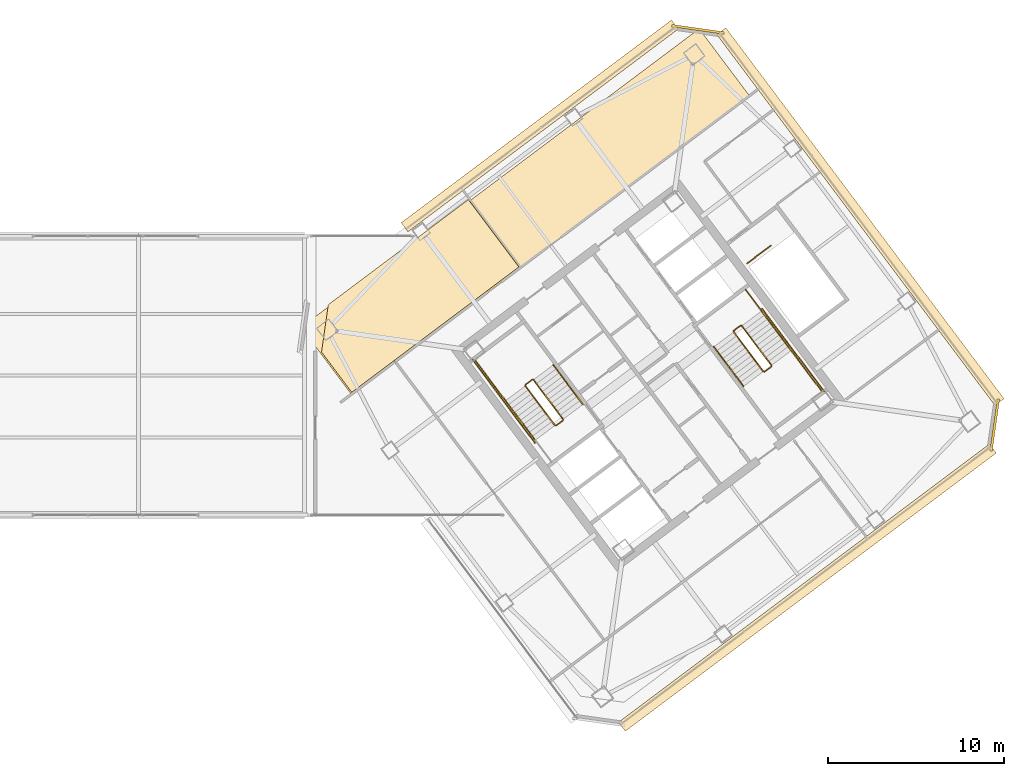
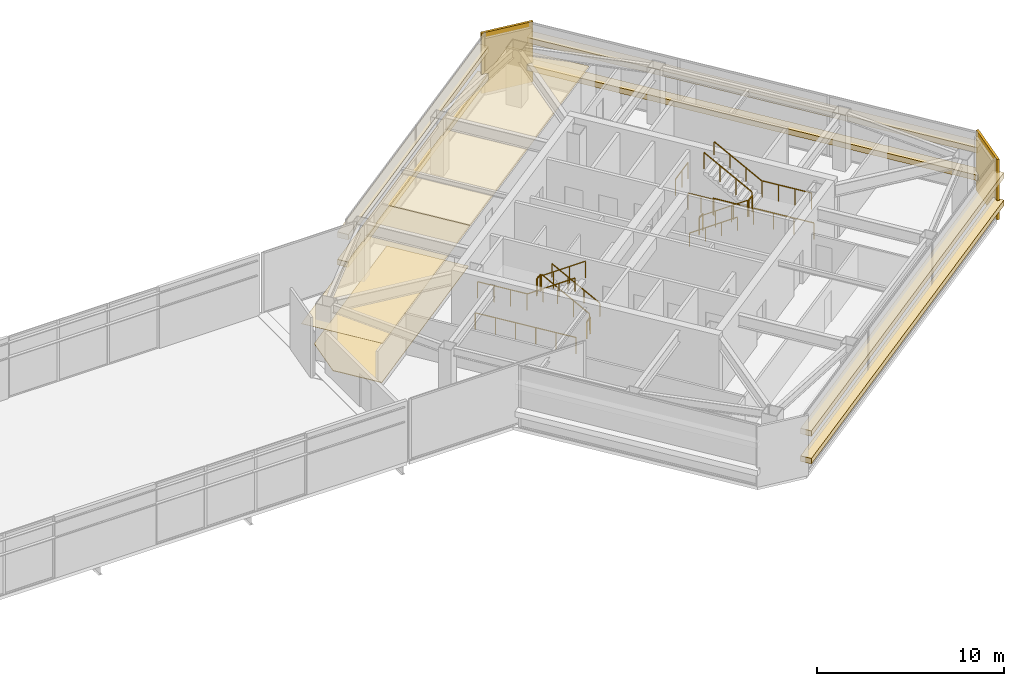
# One storey, part 50 of 51: 18 railings, 11 coverings.
"""IFC4 building model written with IfcOpenShell, lengths in metres."""

from ifc_helpers import new_model, si_unit, direction, frame, origin, origin_2d, place, context, subcontext, project, spatial, polyline, rectangle, outline, extrude, material, layer, layer_set, type_object, element, save


model = new_model("IFC4")

# Units and contexts
model_context = context("Model", 3, precision=1e-05, world=origin(), true_north=direction((0.0, 1.0)))
body_context = subcontext(model_context, "Body", "Model", "MODEL_VIEW")
ifc_project = project(units=[si_unit("LENGTHUNIT", "METRE"), si_unit("AREAUNIT", "SQUARE_METRE"), si_unit("VOLUMEUNIT", "CUBIC_METRE"), si_unit("PLANEANGLEUNIT", "RADIAN"), si_unit("MASSUNIT", "GRAM", prefix="KILO")], contexts=[model_context])

# Site, building, storey
site_placement = place(None, origin())
site = spatial("IfcSite", under=ifc_project, at=site_placement, CompositionType="ELEMENT")
building_placement = place(site_placement, origin())
building = spatial("IfcBuilding", under=site, at=building_placement, Name="Tashvorn Skyway Center", CompositionType="ELEMENT")
storey_placement = place(building_placement, frame((0.0, 0.0, 259.39990234375)))
storey = spatial("IfcBuildingStorey", under=building, at=storey_placement, Name="L70", CompositionType="ELEMENT", Elevation=259.39990234375)

# Coverings
ifc_material_1 = material(Name="Mineral-fibre acoustic ceiling tile on suspended grid")
ifc_layer_1 = layer(ifc_material_1, 0.02001953125)
ifc_layer_set_1 = layer_set([ifc_layer_1], Name="Mineral-fibre acoustic ceiling tile on suspended grid")
covering_type_1 = type_object("IfcCoveringType", Name="COV-CEIL-20", PredefinedType="CEILING", material=ifc_layer_set_1)
covering_1_placement = place(storey_placement, frame((0.0, 0.0, 2.63916015625)))
element("IfcCovering", 1, at=covering_1_placement, inside=storey, type_object=covering_type_1, Name="Tower 2 L70 Conference Room Acoustic Ceiling", PredefinedType="CEILING", context=body_context, shape_type="SweptSolid", body=[
    extrude(outline(polyline([(97.169921875, 30.93994140625), (106.77001953125, 38.139892578125), (103.919921875, 41.93994140625), (94.320068359375, 34.739990234375), (97.169921875, 30.93994140625)])), origin(), (0.0, 0.0, 1.0), 0.02001953125),
])
covering_2_placement = place(storey_placement, frame((0.0, 0.0, 2.63916015625)))
element("IfcCovering", 2, at=covering_2_placement, inside=storey, type_object=covering_type_1, Name="Tower 2 L70 Conference Room Acoustic Ceiling", PredefinedType="CEILING", context=body_context, shape_type="SweptSolid", body=[
    extrude(outline(polyline([(106.77001953125, 38.139892578125), (119.72998046875, 47.860107421875), (116.8798828125, 51.659912109375), (103.919921875, 41.93994140625), (106.77001953125, 38.139892578125)])), origin(), (0.0, 0.0, 1.0), 0.02001953125),
])
ifc_material_2 = material(Name="Polished Mojave desert-aggregate terrazzo and cover plate")
ifc_layer_2 = layer(ifc_material_2, 0.0400390625)
ifc_layer_set_2 = layer_set([ifc_layer_2], Name="Polished Mojave desert-aggregate terrazzo and cover plate")
covering_type_2 = type_object("IfcCoveringType", Name="COV-FLR-40", PredefinedType="FLOORING", material=ifc_layer_set_2)
covering_3_placement = place(storey_placement, origin())
element("IfcCovering", 3, at=covering_3_placement, inside=storey, type_object=covering_type_2, Name="Tower 2 L70 Conference Room Finish Flooring", PredefinedType="FLOORING", context=body_context, shape_type="SweptSolid", body=[
    extrude(outline(polyline([(106.657958984375, 38.156005859375), (97.18603515625, 31.052001953125), (95.47607421875, 33.33203125), (95.860107421875, 36.02001953125), (103.7958984375, 41.971923828125), (106.657958984375, 38.156005859375)])), origin(), (0.0, 0.0, 1.0), 0.0400390625),
])
ifc_material_3 = material(Name="Perforated ceramic-coated bronze aluminium solar screen", Category="aluminium")
ifc_layer_3 = layer(ifc_material_3, 0.85009765625)
ifc_layer_set_3 = layer_set([ifc_layer_3], Name="Perforated ceramic-coated bronze aluminium solar screen")
covering_type_3 = type_object("IfcCoveringType", Name="COV-SOLAR-BAND", PredefinedType="CLADDING", material=ifc_layer_set_3)
for number, where, z_axis, x_axis, name in (
    (4, (123.011962890625, 19.98388671875, 0.919921875), (0.0, 0.0, 1.0), (-0.799999996291, -0.600000004945, 0.0), "L70 Perforated Ceramic-Metal Solar Screen Louvre Band South 1"),
    (5, (123.011962890625, 19.98388671875, 2.72021484375), (0.0, 0.0, 1.0), (-0.799999996291, -0.600000004945, 0.0), "L70 Perforated Ceramic-Metal Solar Screen Louvre Band South 2"),
):
    element("IfcCovering", number, at=place(storey_placement, frame(where, z_axis=z_axis, x_axis=x_axis)), inside=storey, type_object=covering_type_3, Name=name, PredefinedType="CLADDING", context=body_context, shape_type="SweptSolid", body=[
        extrude(rectangle(XDim=26.280029296875, YDim=0.639892578125, at=origin_2d()), origin(), (0.0, 0.0, 1.0), 0.360107421875),
    ])
for number, where, z_axis, x_axis, name in (
    (6, (107.840087890625, 46.155029296875, 0.919921875), (0.0, 0.0, 1.0), (0.799999996291, 0.600000004945, 0.0), "L70 Perforated Ceramic-Metal Solar Screen Louvre Band North 1"),
    (7, (107.840087890625, 46.155029296875, 2.72021484375), (0.0, 0.0, 1.0), (0.799999996291, 0.600000004945, 0.0), "L70 Perforated Ceramic-Metal Solar Screen Louvre Band North 2"),
):
    element("IfcCovering", number, at=place(storey_placement, frame(where, z_axis=z_axis, x_axis=x_axis)), inside=storey, type_object=covering_type_3, Name=name, PredefinedType="CLADDING", context=body_context, shape_type="SweptSolid", body=[
        extrude(rectangle(XDim=19.14990234375, YDim=0.639892578125, at=origin_2d()), origin(), (0.0, 0.0, 1.0), 0.360107421875),
    ])
for number, where, z_axis, x_axis, name in (
    (8, (126.01611328125, 41.011962890625, 0.919921875), (0.0, 0.0, 1.0), (0.600000004945, -0.799999996291, 0.0), "L70 Perforated Ceramic-Metal Solar Screen Louvre Band East 1"),
    (9, (126.01611328125, 41.011962890625, 2.72021484375), (0.0, 0.0, 1.0), (0.600000004945, -0.799999996291, 0.0), "L70 Perforated Ceramic-Metal Solar Screen Louvre Band East 2"),
):
    element("IfcCovering", number, at=place(storey_placement, frame(where, z_axis=z_axis, x_axis=x_axis)), inside=storey, type_object=covering_type_3, Name=name, PredefinedType="CLADDING", context=body_context, shape_type="SweptSolid", body=[
        extrude(rectangle(XDim=26.280029296875, YDim=0.639892578125, at=origin_2d()), origin(), (0.0, 0.0, 1.0), 0.360107421875),
    ])
ifc_material_4 = material(Name="Precast concrete C40/50", Category="concrete")
ifc_layer_4 = layer(ifc_material_4, 0.35009765625)
ifc_layer_set_4 = layer_set([ifc_layer_4], Name="Precast concrete C40/50")
covering_type_4 = type_object("IfcCoveringType", Name="COV-STONE-TRIM", PredefinedType="CLADDING", material=ifc_layer_set_4)
for number, where, z_axis, x_axis, name in (
    (10, (116.803955078125, 51.6279296875, 0.02001953125), (0.0, 0.0, 1.0), (0.989949494535, -0.141421350118, 0.0), "Tower 2 L70 NE Mojave Limestone Corner Quoin"),
    (11, (133.6279296875, 29.196044921875, 0.02001953125), (0.0, 0.0, 1.0), (0.141421350118, 0.989949494535, 0.0), "Tower 2 L70 SE Mojave Limestone Corner Quoin"),
):
    element("IfcCovering", number, at=place(storey_placement, frame(where, z_axis=z_axis, x_axis=x_axis)), inside=storey, type_object=covering_type_4, Name=name, PredefinedType="CLADDING", context=body_context, shape_type="SweptSolid", body=[
        extrude(rectangle(XDim=2.98828125, YDim=0.139892578125, at=origin_2d()), origin(), (0.0, 0.0, 1.0), 3.9599609375),
    ])

# Railings
ifc_material_5 = material(Name="Brushed stainless steel 316", Category="steel")
railing_type_1 = type_object("IfcRailingType", Name="RAIL-HAND-920", PredefinedType="HANDRAIL", material=ifc_material_5)
railing_1_placement = place(storey_placement, frame((110.2880859375, 30.365966796875, 0.181884765625)))
element("IfcRailing", 12, at=railing_1_placement, inside=storey, type_object=railing_type_1, Name="L70 ST-T2-1 stair handrail 1", PredefinedType="HANDRAIL", context=body_context, shape_type="SweptSolid", body=[
    extrude(rectangle(XDim=0.048095703125, YDim=0.048095703125, at=origin_2d()), frame((0.0, 0.0, 0.8759765625), z_axis=(-0.503261200553, 0.670941806899, 0.544578052967), x_axis=(-0.799968610491, -0.600041850398, 0.0)), (0.0, 0.0, 1.0), 3.338623046875),
    extrude(rectangle(XDim=0.0419921875, YDim=0.0419921875, at=origin_2d()), origin(), (0.0, 0.0, 1.0), 0.851806640625),
    extrude(rectangle(XDim=0.0419921875, YDim=0.0419921875, at=origin_2d()), frame((-0.56005859375, 0.74658203125, 0.60595703125)), (0.0, 0.0, 1.0), 0.851806640625),
    extrude(rectangle(XDim=0.0419921875, YDim=0.0419921875, at=origin_2d()), frame((-1.1201171875, 1.493408203125, 1.212158203125)), (0.0, 0.0, 1.0), 0.851806640625),
    extrude(rectangle(XDim=0.0419921875, YDim=0.0419921875, at=origin_2d()), frame((-1.68017578125, 2.239990234375, 1.818115234375)), (0.0, 0.0, 1.0), 0.851806640625),
])
railing_2_placement = place(storey_placement, frame((105.904052734375, 30.577880859375, 2.181884765625)))
element("IfcRailing", 13, at=railing_2_placement, inside=storey, type_object=railing_type_1, Name="L70 ST-T2-1 stair handrail 2", PredefinedType="HANDRAIL", context=body_context, shape_type="SweptSolid", body=[
    extrude(rectangle(XDim=0.048095703125, YDim=0.048095703125, at=origin_2d()), frame((0.0, 0.0, 0.8759765625), z_axis=(0.50320659142, -0.670966498514, 0.544598094216), x_axis=(0.80001046323, 0.599986048773, 0.0)), (0.0, 0.0, 1.0), 3.33837890625),
    extrude(rectangle(XDim=0.0419921875, YDim=0.0419921875, at=origin_2d()), origin(), (0.0, 0.0, 1.0), 0.851806640625),
    extrude(rectangle(XDim=0.0419921875, YDim=0.0419921875, at=origin_2d()), frame((0.56005859375, -0.74658203125, 0.60595703125)), (0.0, 0.0, 1.0), 0.851806640625),
    extrude(rectangle(XDim=0.0419921875, YDim=0.0419921875, at=origin_2d()), frame((1.119873046875, -1.493408203125, 1.212158203125)), (0.0, 0.0, 1.0), 0.851806640625),
    extrude(rectangle(XDim=0.0419921875, YDim=0.0419921875, at=origin_2d()), frame((1.679931640625, -2.239990234375, 1.818115234375)), (0.0, 0.0, 1.0), 0.851806640625),
])
railing_3_placement = place(storey_placement, frame((117.7119140625, 33.634033203125, 0.181884765625)))
element("IfcRailing", 14, at=railing_3_placement, inside=storey, type_object=railing_type_1, Name="L70 ST-T2-2 stair handrail 1", PredefinedType="HANDRAIL", context=body_context, shape_type="SweptSolid", body=[
    extrude(rectangle(XDim=0.048095703125, YDim=0.048095703125, at=origin_2d()), frame((0.0, 0.0, 0.8759765625), z_axis=(0.503261200553, -0.670941806899, 0.544578052967), x_axis=(0.799968610491, 0.600041850398, 0.0)), (0.0, 0.0, 1.0), 3.338623046875),
    extrude(rectangle(XDim=0.0419921875, YDim=0.0419921875, at=origin_2d()), origin(), (0.0, 0.0, 1.0), 0.851806640625),
    extrude(rectangle(XDim=0.0419921875, YDim=0.0419921875, at=origin_2d()), frame((0.56005859375, -0.74658203125, 0.60595703125)), (0.0, 0.0, 1.0), 0.851806640625),
    extrude(rectangle(XDim=0.0419921875, YDim=0.0419921875, at=origin_2d()), frame((1.1201171875, -1.493408203125, 1.212158203125)), (0.0, 0.0, 1.0), 0.851806640625),
    extrude(rectangle(XDim=0.0419921875, YDim=0.0419921875, at=origin_2d()), frame((1.68017578125, -2.239990234375, 1.818115234375)), (0.0, 0.0, 1.0), 0.851806640625),
])
railing_4_placement = place(storey_placement, frame((122.095947265625, 33.422119140625, 2.181884765625)))
element("IfcRailing", 15, at=railing_4_placement, inside=storey, type_object=railing_type_1, Name="L70 ST-T2-2 stair handrail 2", PredefinedType="HANDRAIL", context=body_context, shape_type="SweptSolid", body=[
    extrude(rectangle(XDim=0.048095703125, YDim=0.048095703125, at=origin_2d()), frame((0.0, 0.0, 0.8759765625), z_axis=(-0.50320659142, 0.670966498514, 0.544598094216), x_axis=(-0.80001046323, -0.599986048773, 0.0)), (0.0, 0.0, 1.0), 3.33837890625),
    extrude(rectangle(XDim=0.0419921875, YDim=0.0419921875, at=origin_2d()), origin(), (0.0, 0.0, 1.0), 0.851806640625),
    extrude(rectangle(XDim=0.0419921875, YDim=0.0419921875, at=origin_2d()), frame((-0.56005859375, 0.74658203125, 0.60595703125)), (0.0, 0.0, 1.0), 0.851806640625),
    extrude(rectangle(XDim=0.0419921875, YDim=0.0419921875, at=origin_2d()), frame((-1.119873046875, 1.493408203125, 1.212158203125)), (0.0, 0.0, 1.0), 0.851806640625),
    extrude(rectangle(XDim=0.0419921875, YDim=0.0419921875, at=origin_2d()), frame((-1.679931640625, 2.239990234375, 1.818115234375)), (0.0, 0.0, 1.0), 0.851806640625),
])
ifc_material_6 = material(Name="Painted galvanized steel S355", Category="steel")
railing_type_2 = type_object("IfcRailingType", Name="RAIL-STGUARD-1100", PredefinedType="GUARDRAIL", material=ifc_material_6)
railing_5_placement = place(storey_placement, frame((109.16796875, 29.52587890625, 0.181884765625)))
element("IfcRailing", 16, at=railing_5_placement, inside=storey, type_object=railing_type_2, Name="L70 ST-T2-1 stair guard 1", PredefinedType="GUARDRAIL", context=body_context, shape_type="SweptSolid", body=[
    extrude(rectangle(XDim=0.048095703125, YDim=0.048095703125, at=origin_2d()), frame((0.0, 0.0, 1.076171875), z_axis=(-0.503181900707, 0.671006702643, 0.544571372557), x_axis=(-0.800041848543, -0.599944197888, 0.0)), (0.0, 0.0, 1.0), 3.338623046875),
    extrude(rectangle(XDim=0.0419921875, YDim=0.0419921875, at=origin_2d()), origin(), (0.0, 0.0, 1.0), 1.052001953125),
    extrude(rectangle(XDim=0.0419921875, YDim=0.0419921875, at=origin_2d()), frame((-0.56005859375, 0.746826171875, 0.60595703125)), (0.0, 0.0, 1.0), 1.052001953125),
    extrude(rectangle(XDim=0.0419921875, YDim=0.0419921875, at=origin_2d()), frame((-1.119873046875, 1.493408203125, 1.212158203125)), (0.0, 0.0, 1.0), 1.052001953125),
    extrude(rectangle(XDim=0.0419921875, YDim=0.0419921875, at=origin_2d()), frame((-1.679931640625, 2.240234375, 1.818115234375)), (0.0, 0.0, 1.0), 1.052001953125),
])
railing_6_placement = place(storey_placement, frame((107.41796875, 31.77587890625, 2.0)))
element("IfcRailing", 17, at=railing_6_placement, inside=storey, type_object=railing_type_2, Name="L70 ST-T2-1 stair guard 2", PredefinedType="GUARDRAIL", context=body_context, shape_type="SweptSolid", body=[
    extrude(rectangle(XDim=0.048095703125, YDim=0.048095703125, at=origin_2d()), frame((0.0, 0.0, 1.076171875), z_axis=(-0.800183094277, -0.599755796664, 0.0), x_axis=(0.599755796664, -0.800183094277, 0.0)), (0.0, 0.0, 1.0), 0.47998046875),
    extrude(rectangle(XDim=0.0419921875, YDim=0.0419921875, at=origin_2d()), origin(), (0.0, 0.0, 1.0), 1.052001953125),
    extrude(rectangle(XDim=0.0419921875, YDim=0.0419921875, at=origin_2d()), frame((-0.384033203125, -0.287841796875, 0.0)), (0.0, 0.0, 1.0), 1.052001953125),
])
railing_7_placement = place(storey_placement, frame((105.904052734375, 30.577880859375, 2.0)))
element("IfcRailing", 18, at=railing_7_placement, inside=storey, type_object=railing_type_2, Name="L70 ST-T2-1 stair guard 3", PredefinedType="GUARDRAIL", context=body_context, shape_type="SweptSolid", body=[
    extrude(rectangle(XDim=0.048095703125, YDim=0.048095703125, at=origin_2d()), frame((0.0, 0.0, 1.076171875), z_axis=(-0.599972874575, 0.800020343351, 0.0), x_axis=(-0.800020343351, -0.599972874575, 0.0)), (0.0, 0.0, 1.0), 2.880126953125),
    extrude(rectangle(XDim=0.0419921875, YDim=0.0419921875, at=origin_2d()), origin(), (0.0, 0.0, 1.0), 1.052001953125),
    extrude(rectangle(XDim=0.0419921875, YDim=0.0419921875, at=origin_2d()), frame((-0.575927734375, 0.76806640625, 0.0)), (0.0, 0.0, 1.0), 1.052001953125),
    extrude(rectangle(XDim=0.0419921875, YDim=0.0419921875, at=origin_2d()), frame((-1.152099609375, 1.5361328125, 0.0)), (0.0, 0.0, 1.0), 1.052001953125),
    extrude(rectangle(XDim=0.0419921875, YDim=0.0419921875, at=origin_2d()), frame((-1.72802734375, 2.30419921875, 0.0)), (0.0, 0.0, 1.0), 1.052001953125),
])
railing_8_placement = place(storey_placement, frame((107.02392578125, 31.41796875, 2.181884765625)))
element("IfcRailing", 19, at=railing_8_placement, inside=storey, type_object=railing_type_2, Name="L70 ST-T2-1 stair guard 4", PredefinedType="GUARDRAIL", context=body_context, shape_type="SweptSolid", body=[
    extrude(rectangle(XDim=0.048095703125, YDim=0.048095703125, at=origin_2d()), frame((0.0, 0.0, 1.076171875), z_axis=(0.503261200553, -0.670941806899, 0.544578052967), x_axis=(0.799968610491, 0.600041850398, 0.0)), (0.0, 0.0, 1.0), 3.338623046875),
    extrude(rectangle(XDim=0.0419921875, YDim=0.0419921875, at=origin_2d()), origin(), (0.0, 0.0, 1.0), 1.052001953125),
    extrude(rectangle(XDim=0.0419921875, YDim=0.0419921875, at=origin_2d()), frame((0.56005859375, -0.74658203125, 0.60595703125)), (0.0, 0.0, 1.0), 1.052001953125),
    extrude(rectangle(XDim=0.0419921875, YDim=0.0419921875, at=origin_2d()), frame((1.1201171875, -1.493408203125, 1.212158203125)), (0.0, 0.0, 1.0), 1.052001953125),
    extrude(rectangle(XDim=0.0419921875, YDim=0.0419921875, at=origin_2d()), frame((1.68017578125, -2.239990234375, 1.818115234375)), (0.0, 0.0, 1.0), 1.052001953125),
])
railing_9_placement = place(storey_placement, frame((109.157958984375, 29.4560546875, 0.0)))
element("IfcRailing", 20, at=railing_9_placement, inside=storey, type_object=railing_type_2, Name="L70 ST-T2-1 stair guard 5", PredefinedType="GUARDRAIL", context=body_context, shape_type="SweptSolid", body=[
    extrude(rectangle(XDim=0.048095703125, YDim=0.048095703125, at=origin_2d()), frame((0.0, 0.0, 1.076171875), z_axis=(-0.799938970639, -0.600081363861, 0.0), x_axis=(0.600081363861, -0.799938970639, 0.0)), (0.0, 0.0, 1.0), 0.47998046875),
    extrude(rectangle(XDim=0.0419921875, YDim=0.0419921875, at=origin_2d()), origin(), (0.0, 0.0, 1.0), 1.052001953125),
    extrude(rectangle(XDim=0.0419921875, YDim=0.0419921875, at=origin_2d()), frame((-0.384033203125, -0.2880859375, 0.0)), (0.0, 0.0, 1.0), 1.052001953125),
])
railing_10_placement = place(storey_placement, frame((107.56396484375, 28.197998046875, 0.0)))
element("IfcRailing", 21, at=railing_10_placement, inside=storey, type_object=railing_type_2, Name="L70 ST-T2-1 stair guard 7", PredefinedType="GUARDRAIL", context=body_context, shape_type="SweptSolid", body=[
    extrude(rectangle(XDim=0.048095703125, YDim=0.048095703125, at=origin_2d()), frame((0.0, 0.0, 1.076171875), z_axis=(-0.6, 0.8, 0.0), x_axis=(-0.8, -0.6, 0.0)), (0.0, 0.0, 1.0), 5.880126953125),
    extrude(rectangle(XDim=0.0419921875, YDim=0.0419921875, at=origin_2d()), origin(), (0.0, 0.0, 1.0), 1.052001953125),
    extrude(rectangle(XDim=0.0419921875, YDim=0.0419921875, at=origin_2d()), frame((-0.70556640625, 0.94091796875, 0.0)), (0.0, 0.0, 1.0), 1.052001953125),
    extrude(rectangle(XDim=0.0419921875, YDim=0.0419921875, at=origin_2d()), frame((-1.4111328125, 1.881591796875, 0.0)), (0.0, 0.0, 1.0), 1.052001953125),
    extrude(rectangle(XDim=0.0419921875, YDim=0.0419921875, at=origin_2d()), frame((-2.116943359375, 2.822509765625, 0.0)), (0.0, 0.0, 1.0), 1.052001953125),
    extrude(rectangle(XDim=0.0419921875, YDim=0.0419921875, at=origin_2d()), frame((-2.822509765625, 3.76318359375, 0.0)), (0.0, 0.0, 1.0), 1.052001953125),
    extrude(rectangle(XDim=0.0419921875, YDim=0.0419921875, at=origin_2d()), frame((-3.528076171875, 4.7041015625, 0.0)), (0.0, 0.0, 1.0), 1.052001953125),
])
railing_11_placement = place(storey_placement, frame((118.83203125, 34.47412109375, 0.181884765625)))
element("IfcRailing", 22, at=railing_11_placement, inside=storey, type_object=railing_type_2, Name="L70 ST-T2-2 stair guard 1", PredefinedType="GUARDRAIL", context=body_context, shape_type="SweptSolid", body=[
    extrude(rectangle(XDim=0.048095703125, YDim=0.048095703125, at=origin_2d()), frame((0.0, 0.0, 1.076171875), z_axis=(0.503181900707, -0.671006702643, 0.544571372557), x_axis=(0.800041848543, 0.599944197888, 0.0)), (0.0, 0.0, 1.0), 3.338623046875),
    extrude(rectangle(XDim=0.0419921875, YDim=0.0419921875, at=origin_2d()), origin(), (0.0, 0.0, 1.0), 1.052001953125),
    extrude(rectangle(XDim=0.0419921875, YDim=0.0419921875, at=origin_2d()), frame((0.56005859375, -0.746826171875, 0.60595703125)), (0.0, 0.0, 1.0), 1.052001953125),
    extrude(rectangle(XDim=0.0419921875, YDim=0.0419921875, at=origin_2d()), frame((1.119873046875, -1.493408203125, 1.212158203125)), (0.0, 0.0, 1.0), 1.052001953125),
    extrude(rectangle(XDim=0.0419921875, YDim=0.0419921875, at=origin_2d()), frame((1.679931640625, -2.240234375, 1.818115234375)), (0.0, 0.0, 1.0), 1.052001953125),
])
railing_12_placement = place(storey_placement, frame((120.58203125, 32.22412109375, 2.0)))
element("IfcRailing", 23, at=railing_12_placement, inside=storey, type_object=railing_type_2, Name="L70 ST-T2-2 stair guard 2", PredefinedType="GUARDRAIL", context=body_context, shape_type="SweptSolid", body=[
    extrude(rectangle(XDim=0.048095703125, YDim=0.048095703125, at=origin_2d()), frame((0.0, 0.0, 1.076171875), z_axis=(0.800183094277, 0.599755796664, 0.0), x_axis=(-0.599755796664, 0.800183094277, 0.0)), (0.0, 0.0, 1.0), 0.47998046875),
    extrude(rectangle(XDim=0.0419921875, YDim=0.0419921875, at=origin_2d()), origin(), (0.0, 0.0, 1.0), 1.052001953125),
    extrude(rectangle(XDim=0.0419921875, YDim=0.0419921875, at=origin_2d()), frame((0.384033203125, 0.287841796875, 0.0)), (0.0, 0.0, 1.0), 1.052001953125),
])
railing_13_placement = place(storey_placement, frame((122.095947265625, 33.422119140625, 2.0)))
element("IfcRailing", 24, at=railing_13_placement, inside=storey, type_object=railing_type_2, Name="L70 ST-T2-2 stair guard 3", PredefinedType="GUARDRAIL", context=body_context, shape_type="SweptSolid", body=[
    extrude(rectangle(XDim=0.048095703125, YDim=0.048095703125, at=origin_2d()), frame((0.0, 0.0, 1.076171875), z_axis=(0.599972874575, -0.800020343351, 0.0), x_axis=(0.800020343351, 0.599972874575, 0.0)), (0.0, 0.0, 1.0), 2.880126953125),
    extrude(rectangle(XDim=0.0419921875, YDim=0.0419921875, at=origin_2d()), origin(), (0.0, 0.0, 1.0), 1.052001953125),
    extrude(rectangle(XDim=0.0419921875, YDim=0.0419921875, at=origin_2d()), frame((0.575927734375, -0.76806640625, 0.0)), (0.0, 0.0, 1.0), 1.052001953125),
    extrude(rectangle(XDim=0.0419921875, YDim=0.0419921875, at=origin_2d()), frame((1.152099609375, -1.5361328125, 0.0)), (0.0, 0.0, 1.0), 1.052001953125),
    extrude(rectangle(XDim=0.0419921875, YDim=0.0419921875, at=origin_2d()), frame((1.72802734375, -2.30419921875, 0.0)), (0.0, 0.0, 1.0), 1.052001953125),
])
railing_14_placement = place(storey_placement, frame((120.97607421875, 32.58203125, 2.181884765625)))
element("IfcRailing", 25, at=railing_14_placement, inside=storey, type_object=railing_type_2, Name="L70 ST-T2-2 stair guard 4", PredefinedType="GUARDRAIL", context=body_context, shape_type="SweptSolid", body=[
    extrude(rectangle(XDim=0.048095703125, YDim=0.048095703125, at=origin_2d()), frame((0.0, 0.0, 1.076171875), z_axis=(-0.503261200553, 0.670941806899, 0.544578052967), x_axis=(-0.799968610491, -0.600041850398, 0.0)), (0.0, 0.0, 1.0), 3.338623046875),
    extrude(rectangle(XDim=0.0419921875, YDim=0.0419921875, at=origin_2d()), origin(), (0.0, 0.0, 1.0), 1.052001953125),
    extrude(rectangle(XDim=0.0419921875, YDim=0.0419921875, at=origin_2d()), frame((-0.56005859375, 0.74658203125, 0.60595703125)), (0.0, 0.0, 1.0), 1.052001953125),
    extrude(rectangle(XDim=0.0419921875, YDim=0.0419921875, at=origin_2d()), frame((-1.1201171875, 1.493408203125, 1.212158203125)), (0.0, 0.0, 1.0), 1.052001953125),
    extrude(rectangle(XDim=0.0419921875, YDim=0.0419921875, at=origin_2d()), frame((-1.68017578125, 2.239990234375, 1.818115234375)), (0.0, 0.0, 1.0), 1.052001953125),
])
railing_15_placement = place(storey_placement, frame((118.842041015625, 34.5439453125, 0.0)))
element("IfcRailing", 26, at=railing_15_placement, inside=storey, type_object=railing_type_2, Name="L70 ST-T2-2 stair guard 5", PredefinedType="GUARDRAIL", context=body_context, shape_type="SweptSolid", body=[
    extrude(rectangle(XDim=0.048095703125, YDim=0.048095703125, at=origin_2d()), frame((0.0, 0.0, 1.076171875), z_axis=(0.799938970639, 0.600081363861, 0.0), x_axis=(-0.600081363861, 0.799938970639, 0.0)), (0.0, 0.0, 1.0), 0.47998046875),
    extrude(rectangle(XDim=0.0419921875, YDim=0.0419921875, at=origin_2d()), origin(), (0.0, 0.0, 1.0), 1.052001953125),
    extrude(rectangle(XDim=0.0419921875, YDim=0.0419921875, at=origin_2d()), frame((0.384033203125, 0.2880859375, 0.0)), (0.0, 0.0, 1.0), 1.052001953125),
])
railing_16_placement = place(storey_placement, frame((119.50390625, 36.8779296875, 0.0)))
element("IfcRailing", 27, at=railing_16_placement, inside=storey, type_object=railing_type_2, Name="L70 ST-T2-2 stair guard 6", PredefinedType="GUARDRAIL", context=body_context, shape_type="SweptSolid", body=[
    extrude(rectangle(XDim=0.048095703125, YDim=0.048095703125, at=origin_2d()), frame((0.0, 0.0, 1.076171875), z_axis=(0.600102796382, -0.799922892393, 0.0), x_axis=(0.799922892393, 0.600102796382, 0.0)), (0.0, 0.0, 1.0), 1.52001953125),
    extrude(rectangle(XDim=0.0419921875, YDim=0.0419921875, at=origin_2d()), origin(), (0.0, 0.0, 1.0), 1.052001953125),
    extrude(rectangle(XDim=0.0419921875, YDim=0.0419921875, at=origin_2d()), frame((0.4560546875, -0.60791015625, 0.0)), (0.0, 0.0, 1.0), 1.052001953125),
    extrude(rectangle(XDim=0.0419921875, YDim=0.0419921875, at=origin_2d()), frame((0.912109375, -1.2158203125, 0.0)), (0.0, 0.0, 1.0), 1.052001953125),
])
railing_17_placement = place(storey_placement, frame((120.43603515625, 35.802001953125, 0.0)))
element("IfcRailing", 28, at=railing_17_placement, inside=storey, type_object=railing_type_2, Name="L70 ST-T2-2 stair guard 7", PredefinedType="GUARDRAIL", context=body_context, shape_type="SweptSolid", body=[
    extrude(rectangle(XDim=0.048095703125, YDim=0.048095703125, at=origin_2d()), frame((0.0, 0.0, 1.076171875), z_axis=(0.6, -0.8, 0.0), x_axis=(0.8, 0.6, 0.0)), (0.0, 0.0, 1.0), 5.880126953125),
    extrude(rectangle(XDim=0.0419921875, YDim=0.0419921875, at=origin_2d()), origin(), (0.0, 0.0, 1.0), 1.052001953125),
    extrude(rectangle(XDim=0.0419921875, YDim=0.0419921875, at=origin_2d()), frame((0.70556640625, -0.94091796875, 0.0)), (0.0, 0.0, 1.0), 1.052001953125),
    extrude(rectangle(XDim=0.0419921875, YDim=0.0419921875, at=origin_2d()), frame((1.4111328125, -1.881591796875, 0.0)), (0.0, 0.0, 1.0), 1.052001953125),
    extrude(rectangle(XDim=0.0419921875, YDim=0.0419921875, at=origin_2d()), frame((2.116943359375, -2.822509765625, 0.0)), (0.0, 0.0, 1.0), 1.052001953125),
    extrude(rectangle(XDim=0.0419921875, YDim=0.0419921875, at=origin_2d()), frame((2.822509765625, -3.76318359375, 0.0)), (0.0, 0.0, 1.0), 1.052001953125),
    extrude(rectangle(XDim=0.0419921875, YDim=0.0419921875, at=origin_2d()), frame((3.528076171875, -4.7041015625, 0.0)), (0.0, 0.0, 1.0), 1.052001953125),
])
railing_18_placement = place(storey_placement, frame((119.5859375, 38.35205078125, 0.0)))
element("IfcRailing", 29, at=railing_18_placement, inside=storey, type_object=railing_type_2, Name="L70 ST-T2-3 top well guard 1", PredefinedType="GUARDRAIL", context=body_context, shape_type="SweptSolid", body=[
    extrude(rectangle(XDim=0.048095703125, YDim=0.048095703125, at=origin_2d()), frame((0.0, 0.0, 1.076171875), z_axis=(0.800017232136, 0.599977023131, 0.0), x_axis=(-0.599977023131, 0.800017232136, 0.0)), (0.0, 0.0, 1.0), 1.7001953125),
    extrude(rectangle(XDim=0.0419921875, YDim=0.0419921875, at=origin_2d()), origin(), (0.0, 0.0, 1.0), 1.052001953125),
    extrude(rectangle(XDim=0.0419921875, YDim=0.0419921875, at=origin_2d()), frame((0.68017578125, 0.510009765625, 0.0)), (0.0, 0.0, 1.0), 1.052001953125),
    extrude(rectangle(XDim=0.0419921875, YDim=0.0419921875, at=origin_2d()), frame((1.360107421875, 1.02001953125, 0.0)), (0.0, 0.0, 1.0), 1.052001953125),
])

save(model, "model.ifc")
